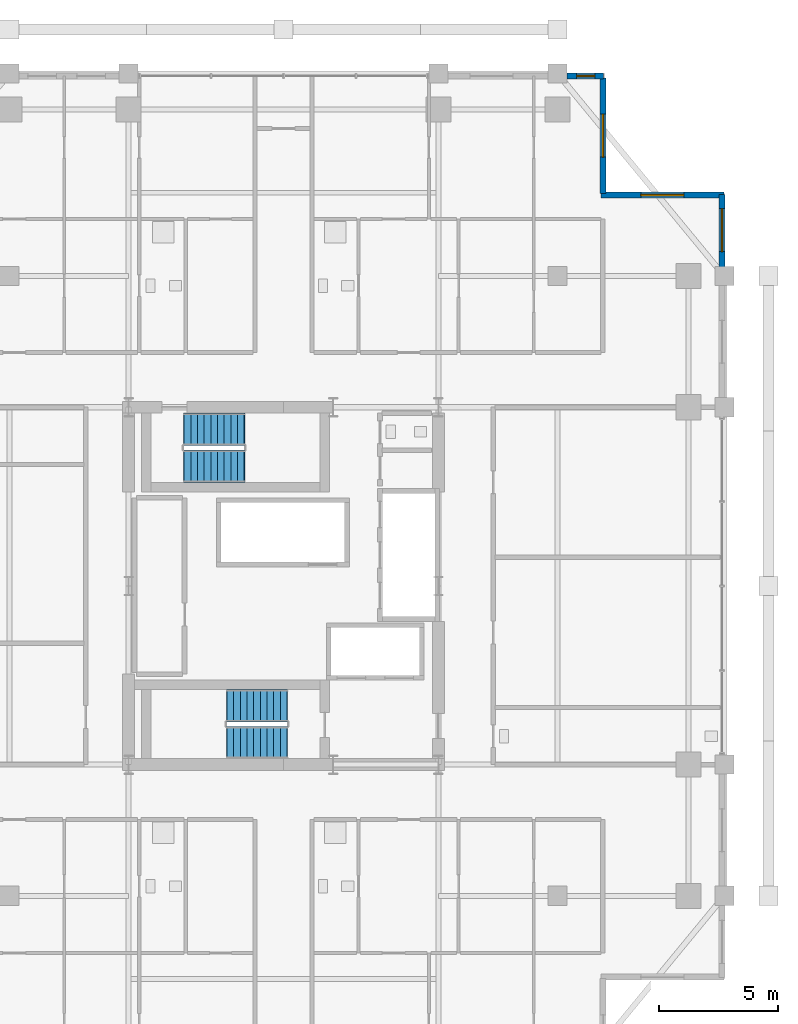
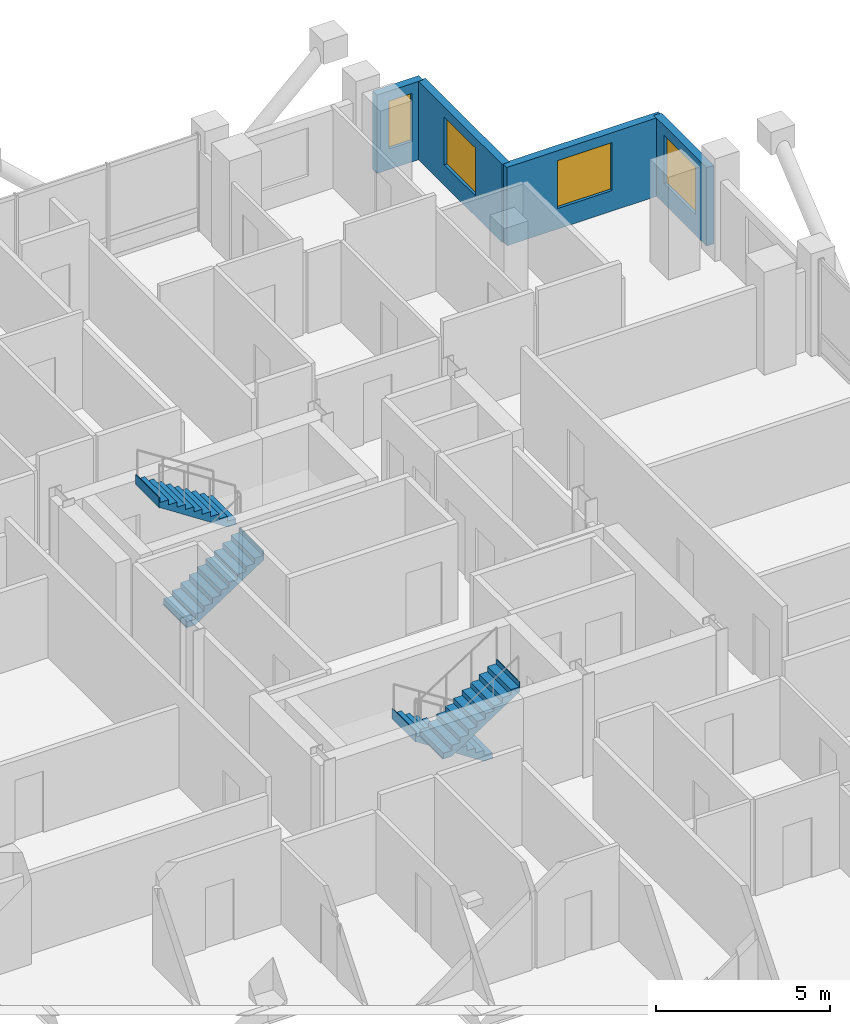
# One storey, part 22 of 24: 4 stair flights, 4 walls, 4 windows, 4 openings, 2 elements without a shape of their own.
"""IFC4 building model written with IfcOpenShell, lengths in metres."""

from ifc_helpers import new_model, si_unit, direction, frame, frame_2d, origin, place, context, subcontext, project, spatial, polyline, rectangle, outline, extrude, material, layer, layer_set, type_object, element, fill, aggregate, save


model = new_model("IFC4")

# Units and contexts
model_context = context("Model", 3, precision=1e-05, world=origin(), true_north=direction((0.0, 1.0)))
body_context = subcontext(model_context, "Body", "Model", "MODEL_VIEW")
ifc_project = project(units=[si_unit("LENGTHUNIT", "METRE"), si_unit("AREAUNIT", "SQUARE_METRE"), si_unit("VOLUMEUNIT", "CUBIC_METRE"), si_unit("PLANEANGLEUNIT", "RADIAN"), si_unit("MASSUNIT", "GRAM", prefix="KILO")], contexts=[model_context])

# Site, building, storey
site_placement = place(None, origin())
site = spatial("IfcSite", under=ifc_project, at=site_placement, CompositionType="ELEMENT")
building_placement = place(site_placement, origin())
building = spatial("IfcBuilding", under=site, at=building_placement, Name="Barlavira Tower and Art Museum", CompositionType="ELEMENT")
storey_placement = place(building_placement, frame((0.0, 0.0, 194.39990234375)))
storey = spatial("IfcBuildingStorey", under=building, at=storey_placement, Name="L50", CompositionType="ELEMENT", Elevation=194.39990234375)

# Wall, opening, window
ifc_material_1 = material(Name="Precast concrete C40", Category="concrete")
ifc_layer = layer(ifc_material_1, 0.25, Name="Precast concrete C40")
ifc_layer_set = layer_set([ifc_layer], Name="Precast concrete C40")
wall_type = type_object("IfcWallType", Name="Notched Corner Spandrel Wall 250 Precast Concrete C40", PredefinedType="SOLIDWALL", material=ifc_layer_set)
wall_1_placement = place(storey_placement, frame((13.425048828125, 21.39990234375, 0.0), z_axis=(0.0, 0.0, 1.0), x_axis=(-1.0, 0.0, 0.0)))
wall_1 = element("IfcWall", 1, at=wall_1_placement, inside=storey, type_object=wall_type, Name="L50 Coastal Facade Pier Wall CW3-L50-N-1", PredefinedType="SOLIDWALL", context=body_context, shape_type="SweptSolid", body=[
    extrude(rectangle(XDim=1.530029296875, YDim=0.25, at=frame_2d((0.76513671875, 0.0))), origin(), (0.0, 0.0, 1.0), 2.748046875),
])
opening_1_placement = place(wall_1_placement, frame((0.363037109375, 0.0, 0.719970703125)))
opening_1 = element("IfcOpeningElement", 2, at=opening_1_placement, cuts=wall_1, Name="Opening WN-06", PredefinedType="OPENING", context=body_context, shape_type="SweptSolid", body=[
    extrude(rectangle(XDim=0.760009765625, YDim=1.679931640625, at=frame_2d((0.3798828125, 0.83984375))), frame((0.0, 0.135009765625, 0.0), z_axis=(0.0, -1.0, 0.0), x_axis=(1.0, 0.0, 0.0)), (0.0, 0.0, 1.0), 0.27001953125),
])
ifc_material_2 = material(Name="Low-iron coastal laminated glass", Category="glass")
window_type_1 = type_object("IfcWindowType", Name="Recessed Narrow Pier Window 760x1680", PartitioningType="SINGLE_PANEL", PredefinedType="WINDOW", material=ifc_material_2)
window_1_placement = place(opening_1_placement, origin())
window_1 = element("IfcWindow", 3, at=window_1_placement, inside=storey, type_object=window_type_1, Name="L50 Punched Facade Window EWP-CW3-L50-N-1-1", OverallHeight=1.679931640625, OverallWidth=0.760009765625, PartitioningType="SINGLE_PANEL", PredefinedType="WINDOW", context=body_context, shape_type="SweptSolid", body=[
    extrude(rectangle(XDim=0.760009765625, YDim=1.679931640625, at=frame_2d((0.3798828125, 0.83984375))), frame((0.0, 0.030029296875, 0.0), z_axis=(0.0, -1.0, 0.0), x_axis=(1.0, 0.0, 0.0)), (0.0, 0.0, 1.0), 0.06005859375),
])
fill(opening_1, window_1)

wall_2_placement = place(storey_placement, frame((18.39990234375, 13.39501953125, 0.0), z_axis=(0.0, 0.0, 1.0), x_axis=(0.0, 1.0, 0.0)))
wall_2 = element("IfcWall", 4, at=wall_2_placement, inside=storey, type_object=wall_type, Name="L50 Coastal Facade Pier Wall CW3-L50-E-5", PredefinedType="SOLIDWALL", context=body_context, shape_type="SweptSolid", body=[
    extrude(rectangle(XDim=3.030029296875, YDim=0.25, at=frame_2d((1.51513671875, 0.0))), origin(), (0.0, 0.0, 1.0), 2.748046875),
])
opening_2_placement = place(wall_2_placement, frame((0.637939453125, 0.0, 0.719970703125)))
opening_2 = element("IfcOpeningElement", 5, at=opening_2_placement, cuts=wall_2, Name="Opening WN-01", PredefinedType="OPENING", context=body_context, shape_type="SweptSolid", body=[
    extrude(rectangle(XDim=1.800048828125, YDim=1.679931640625, at=frame_2d((0.89990234375, 0.83984375))), frame((0.0, 0.135009765625, 0.0), z_axis=(0.0, -1.0, 0.0), x_axis=(1.0, 0.0, 0.0)), (0.0, 0.0, 1.0), 0.27001953125),
])
window_type_2 = type_object("IfcWindowType", Name="Recessed Notch Corner Punch Window 1800x1680", PartitioningType="SINGLE_PANEL", PredefinedType="WINDOW", material=ifc_material_2)
window_2_placement = place(opening_2_placement, origin())
window_2 = element("IfcWindow", 6, at=window_2_placement, inside=storey, type_object=window_type_2, Name="L50 Punched Facade Window EWP-CW3-L50-E-5-1", OverallHeight=1.679931640625, OverallWidth=1.800048828125, PartitioningType="SINGLE_PANEL", PredefinedType="WINDOW", context=body_context, shape_type="SweptSolid", body=[
    extrude(rectangle(XDim=1.800048828125, YDim=1.679931640625, at=frame_2d((0.89990234375, 0.83984375))), frame((0.0, 0.030029296875, 0.0), z_axis=(0.0, -1.0, 0.0), x_axis=(1.0, 0.0, 0.0)), (0.0, 0.0, 1.0), 0.06005859375),
])
fill(opening_2, window_2)

wall_3_placement = place(storey_placement, frame((18.47998046875, 16.39990234375, 0.0), z_axis=(0.0, 0.0, 1.0), x_axis=(-1.0, 0.0, 0.0)))
wall_3 = element("IfcWall", 7, at=wall_3_placement, inside=storey, type_object=wall_type, Name="L50 Notch Corner Wall NE1", PredefinedType="SOLIDWALL", context=body_context, shape_type="SweptSolid", body=[
    extrude(rectangle(XDim=5.159912109375, YDim=0.25, at=frame_2d((2.580078125, 0.0))), origin(), (0.0, 0.0, 1.0), 2.748046875),
])
opening_3_placement = place(wall_3_placement, frame((1.679931640625, 0.0, 0.719970703125)))
opening_3 = element("IfcOpeningElement", 8, at=opening_3_placement, cuts=wall_3, Name="Opening WN-01", PredefinedType="OPENING", context=body_context, shape_type="SweptSolid", body=[
    extrude(rectangle(XDim=1.800048828125, YDim=1.679931640625, at=frame_2d((0.89990234375, 0.83984375))), frame((0.0, 0.135009765625, 0.0), z_axis=(0.0, -1.0, 0.0), x_axis=(1.0, 0.0, 0.0)), (0.0, 0.0, 1.0), 0.27001953125),
])
window_3_placement = place(opening_3_placement, origin())
window_3 = element("IfcWindow", 9, at=window_3_placement, inside=storey, type_object=window_type_2, Name="L50 Punched Facade Window EW-NTC-L50-NE1-1", OverallHeight=1.679931640625, OverallWidth=1.800048828125, PartitioningType="SINGLE_PANEL", PredefinedType="WINDOW", context=body_context, shape_type="SweptSolid", body=[
    extrude(rectangle(XDim=1.800048828125, YDim=1.679931640625, at=frame_2d((0.89990234375, 0.83984375))), frame((0.0, 0.030029296875, 0.0), z_axis=(0.0, -1.0, 0.0), x_axis=(1.0, 0.0, 0.0)), (0.0, 0.0, 1.0), 0.06005859375),
])
fill(opening_3, window_3)

wall_4_placement = place(storey_placement, frame((13.39990234375, 16.47998046875, 0.0), z_axis=(0.0, 0.0, 1.0), x_axis=(0.0, 1.0, 0.0)))
wall_4 = element("IfcWall", 10, at=wall_4_placement, inside=storey, type_object=wall_type, Name="L50 Notch Corner Wall NE2", PredefinedType="SOLIDWALL", context=body_context, shape_type="SweptSolid", body=[
    extrude(rectangle(XDim=4.840087890625, YDim=0.25, at=frame_2d((2.419921875, 0.0))), origin(), (0.0, 0.0, 1.0), 2.748046875),
])
opening_4_placement = place(wall_4_placement, frame((1.52001953125, 0.0, 0.719970703125)))
opening_4 = element("IfcOpeningElement", 11, at=opening_4_placement, cuts=wall_4, Name="Opening WN-01", PredefinedType="OPENING", context=body_context, shape_type="SweptSolid", body=[
    extrude(rectangle(XDim=1.800048828125, YDim=1.679931640625, at=frame_2d((0.89990234375, 0.83984375))), frame((0.0, 0.135009765625, 0.0), z_axis=(0.0, -1.0, 0.0), x_axis=(1.0, 0.0, 0.0)), (0.0, 0.0, 1.0), 0.27001953125),
])
window_4_placement = place(opening_4_placement, origin())
window_4 = element("IfcWindow", 12, at=window_4_placement, inside=storey, type_object=window_type_2, Name="L50 Punched Facade Window EW-NTC-L50-NE2-1", OverallHeight=1.679931640625, OverallWidth=1.800048828125, PartitioningType="SINGLE_PANEL", PredefinedType="WINDOW", context=body_context, shape_type="SweptSolid", body=[
    extrude(rectangle(XDim=1.800048828125, YDim=1.679931640625, at=frame_2d((0.89990234375, 0.83984375))), frame((0.0, 0.030029296875, 0.0), z_axis=(0.0, -1.0, 0.0), x_axis=(1.0, 0.0, 0.0)), (0.0, 0.0, 1.0), 0.06005859375),
])
fill(opening_4, window_4)

# Stair, stair flights
ifc_material_3 = material(Name="Concrete C45", Category="concrete")
stair_type_1 = type_object("IfcStairType", Name="Tower North Dog-Leg Exit Stair Assembly Concrete C45", PredefinedType="TWO_QUARTER_TURN_STAIR", material=ifc_material_3)
stair_1_placement = place(storey_placement, origin())
stair_1 = element("IfcStair", 13, at=stair_1_placement, inside=storey, type_object=stair_type_1, Name="L50 Tower North Exit Stair ST-T2", PredefinedType="TWO_QUARTER_TURN_STAIR")
ifc_material_4 = material(Name="Precast concrete C45", Category="concrete")
stair_flight_type_1 = type_object("IfcStairFlightType", Name="Tower North Dog-Leg Exit Stair Precast Flight 1350 Concrete C45", PredefinedType="STRAIGHT", material=ifc_material_4)
stair_flight_1_placement = place(storey_placement, frame((-4.169921875, 5.02490234375, 0.0), z_axis=(0.0, 0.0, 1.0), x_axis=(1.0, 0.0, 0.0)))
stair_flight_1 = element("IfcStairFlight", 14, at=stair_flight_1_placement, type_object=stair_flight_type_1, Name="ST-T2 flight 1", NumberOfRisers=10, NumberOfTreads=9, PredefinedType="STRAIGHT", RiserHeight=0.18, TreadLength=0.28, context=body_context, shape_type="SweptSolid", body=[
    extrude(outline(polyline([(-0.02490234375, 0.0), (0.0, 0.0), (0.0, 0.179931640625), (0.280029296875, 0.179931640625), (0.280029296875, 0.360107421875), (0.56005859375, 0.360107421875), (0.56005859375, 0.5400390625), (0.840087890625, 0.5400390625), (0.840087890625, 0.719970703125), (1.1201171875, 0.719970703125), (1.1201171875, 0.89990234375), (1.39990234375, 0.89990234375), (1.39990234375, 1.080078125), (1.679931640625, 1.080078125), (1.679931640625, 1.260009765625), (1.9599609375, 1.260009765625), (1.9599609375, 1.43994140625), (2.239990234375, 1.43994140625), (2.239990234375, 1.6201171875), (2.52001953125, 1.6201171875), (2.52001953125, 1.800048828125), (2.544921875, 1.800048828125), (2.544921875, 1.44189453125), (2.52001953125, 1.44189453125), (0.277099609375, -0.02490234375), (-0.02490234375, -0.02490234375), (-0.02490234375, 0.0)])), frame((0.0, 0.675048828125, 0.0), z_axis=(0.0, -1.0, 0.0), x_axis=(1.0, 0.0, 0.0)), (0.0, 0.0, 1.0), 1.35009765625),
])
stair_flight_2_placement = place(storey_placement, frame((-1.64990234375, 6.574951171875, 1.800048828125), z_axis=(0.0, 0.0, 1.0), x_axis=(-1.0, 0.0, 0.0)))
stair_flight_2 = element("IfcStairFlight", 15, at=stair_flight_2_placement, type_object=stair_flight_type_1, Name="ST-T2 flight 2", NumberOfRisers=10, NumberOfTreads=9, PredefinedType="STRAIGHT", RiserHeight=0.18, TreadLength=0.28, context=body_context, shape_type="SweptSolid", body=[
    extrude(outline(polyline([(-0.02490234375, 0.0), (0.0, 0.0), (0.0, 0.179931640625), (0.280029296875, 0.179931640625), (0.280029296875, 0.360107421875), (0.56005859375, 0.360107421875), (0.56005859375, 0.5400390625), (0.840087890625, 0.5400390625), (0.840087890625, 0.719970703125), (1.1201171875, 0.719970703125), (1.1201171875, 0.89990234375), (1.39990234375, 0.89990234375), (1.39990234375, 1.080078125), (1.679931640625, 1.080078125), (1.679931640625, 1.260009765625), (1.9599609375, 1.260009765625), (1.9599609375, 1.43994140625), (2.239990234375, 1.43994140625), (2.239990234375, 1.6201171875), (2.52001953125, 1.6201171875), (2.52001953125, 1.800048828125), (2.544921875, 1.800048828125), (2.544921875, 1.44189453125), (2.52001953125, 1.44189453125), (0.277099609375, -0.02490234375), (-0.02490234375, -0.02490234375), (-0.02490234375, 0.0)])), frame((0.0, 0.675048828125, 0.0), z_axis=(0.0, -1.0, 0.0), x_axis=(1.0, 0.0, 0.0)), (0.0, 0.0, 1.0), 1.35009765625),
])
aggregate(stair_1, [stair_flight_1, stair_flight_2])

stair_type_2 = type_object("IfcStairType", Name="Tower South Dog-Leg Exit Stair Assembly Concrete C45", PredefinedType="TWO_QUARTER_TURN_STAIR", material=ifc_material_3)
stair_2_placement = place(storey_placement, origin())
stair_2 = element("IfcStair", 16, at=stair_2_placement, inside=storey, type_object=stair_type_2, Name="L50 Tower South Exit Stair ST-T1", PredefinedType="TWO_QUARTER_TURN_STAIR")
stair_flight_type_2 = type_object("IfcStairFlightType", Name="Tower South Dog-Leg Exit Stair Precast Flight 1350 Concrete C45", PredefinedType="STRAIGHT", material=ifc_material_4)
stair_flight_3_placement = place(storey_placement, frame((0.14990234375, -5.02490234375, 0.0), z_axis=(0.0, 0.0, 1.0), x_axis=(-1.0, 0.0, 0.0)))
stair_flight_3 = element("IfcStairFlight", 17, at=stair_flight_3_placement, type_object=stair_flight_type_2, Name="ST-T1 flight 1", NumberOfRisers=10, NumberOfTreads=9, PredefinedType="STRAIGHT", RiserHeight=0.18, TreadLength=0.28, context=body_context, shape_type="SweptSolid", body=[
    extrude(outline(polyline([(-0.02490234375, 0.0), (0.0, 0.0), (0.0, 0.179931640625), (0.280029296875, 0.179931640625), (0.280029296875, 0.360107421875), (0.56005859375, 0.360107421875), (0.56005859375, 0.5400390625), (0.840087890625, 0.5400390625), (0.840087890625, 0.719970703125), (1.1201171875, 0.719970703125), (1.1201171875, 0.89990234375), (1.39990234375, 0.89990234375), (1.39990234375, 1.080078125), (1.679931640625, 1.080078125), (1.679931640625, 1.260009765625), (1.9599609375, 1.260009765625), (1.9599609375, 1.43994140625), (2.239990234375, 1.43994140625), (2.239990234375, 1.6201171875), (2.52001953125, 1.6201171875), (2.52001953125, 1.800048828125), (2.544921875, 1.800048828125), (2.544921875, 1.44189453125), (2.52001953125, 1.44189453125), (0.277099609375, -0.02490234375), (-0.02490234375, -0.02490234375), (-0.02490234375, 0.0)])), frame((0.0, 0.675048828125, 0.0), z_axis=(0.0, -1.0, 0.0), x_axis=(1.0, 0.0, 0.0)), (0.0, 0.0, 1.0), 1.35009765625),
])
stair_flight_4_placement = place(storey_placement, frame((-2.3701171875, -6.574951171875, 1.800048828125), z_axis=(0.0, 0.0, 1.0), x_axis=(1.0, 0.0, 0.0)))
stair_flight_4 = element("IfcStairFlight", 18, at=stair_flight_4_placement, type_object=stair_flight_type_2, Name="ST-T1 flight 2", NumberOfRisers=10, NumberOfTreads=9, PredefinedType="STRAIGHT", RiserHeight=0.18, TreadLength=0.28, context=body_context, shape_type="SweptSolid", body=[
    extrude(outline(polyline([(-0.02490234375, 0.0), (0.0, 0.0), (0.0, 0.179931640625), (0.280029296875, 0.179931640625), (0.280029296875, 0.360107421875), (0.56005859375, 0.360107421875), (0.56005859375, 0.5400390625), (0.840087890625, 0.5400390625), (0.840087890625, 0.719970703125), (1.1201171875, 0.719970703125), (1.1201171875, 0.89990234375), (1.39990234375, 0.89990234375), (1.39990234375, 1.080078125), (1.679931640625, 1.080078125), (1.679931640625, 1.260009765625), (1.9599609375, 1.260009765625), (1.9599609375, 1.43994140625), (2.239990234375, 1.43994140625), (2.239990234375, 1.6201171875), (2.52001953125, 1.6201171875), (2.52001953125, 1.800048828125), (2.544921875, 1.800048828125), (2.544921875, 1.44189453125), (2.52001953125, 1.44189453125), (0.277099609375, -0.02490234375), (-0.02490234375, -0.02490234375), (-0.02490234375, 0.0)])), frame((0.0, 0.675048828125, 0.0), z_axis=(0.0, -1.0, 0.0), x_axis=(1.0, 0.0, 0.0)), (0.0, 0.0, 1.0), 1.35009765625),
])
aggregate(stair_2, [stair_flight_3, stair_flight_4])

save(model, "model.ifc")
